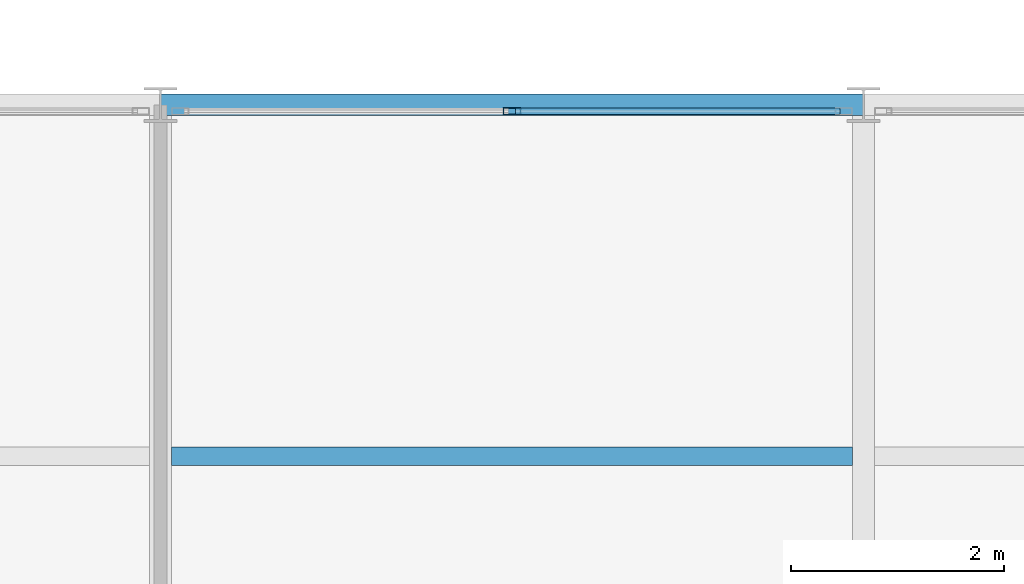
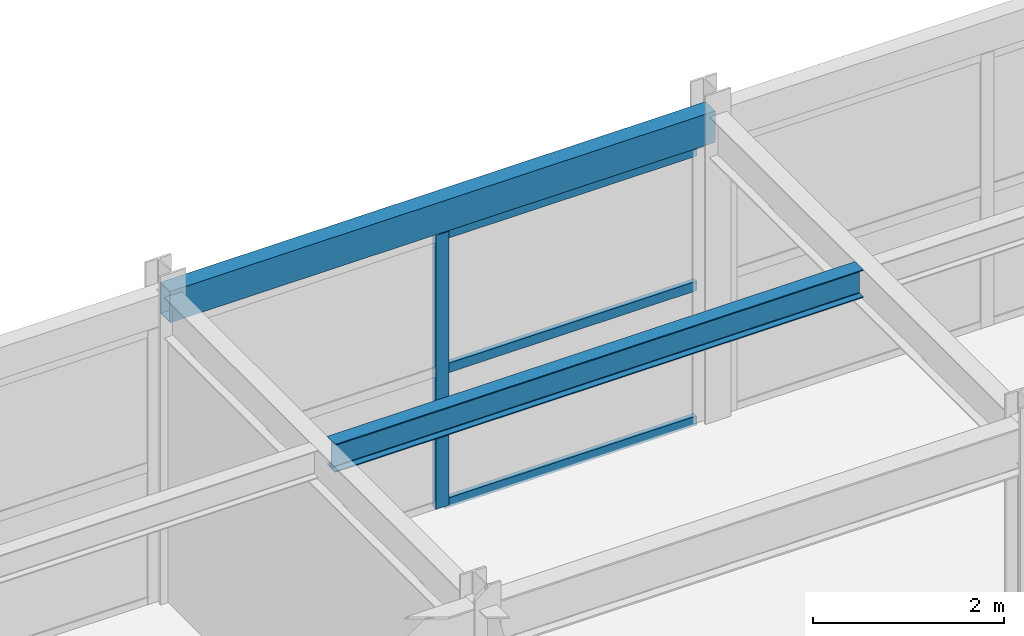
# One storey, part 57 of 134: 4 members, 2 beams, 1 element without a shape of its own.
"""IFC4 building model written with IfcOpenShell, lengths in metres."""

from ifc_helpers import new_model, si_unit, direction, frame, origin, origin_2d, place, context, subcontext, project, spatial, hollow_rectangle, i_section, extrude, material, material_profile, profile_set, type_object, element, aggregate, save


model = new_model("IFC4")

# Units and contexts
model_context = context("Model", 3, precision=1e-05, world=origin(), true_north=direction((0.0, 1.0)))
body_context = subcontext(model_context, "Body", "Model", "MODEL_VIEW")
ifc_project = project(units=[si_unit("LENGTHUNIT", "METRE"), si_unit("AREAUNIT", "SQUARE_METRE"), si_unit("VOLUMEUNIT", "CUBIC_METRE"), si_unit("PLANEANGLEUNIT", "RADIAN"), si_unit("MASSUNIT", "GRAM", prefix="KILO")], contexts=[model_context])

# Site, building, storey
site_placement = place(None, origin())
site = spatial("IfcSite", under=ifc_project, at=site_placement, CompositionType="ELEMENT")
building_placement = place(site_placement, origin())
building = spatial("IfcBuilding", under=site, at=building_placement, Name="Karori Crest Natural Sciences Institute", CompositionType="ELEMENT")
storey_placement = place(building_placement, frame((0.0, 0.0, 21.699951171875)))
storey = spatial("IfcBuildingStorey", under=building, at=storey_placement, Name="L05", CompositionType="ELEMENT", Elevation=21.699951171875)

# Beams
ifc_material_1 = material(Name="Structural steel AS/NZS 3679.1 Grade 350", Category="steel")
ifc_material_profile_1 = material_profile(ifc_material_1, i_section(OverallWidth=0.172119140625, OverallDepth=0.35888671875, WebThickness=0.008056640625, FlangeThickness=0.012939453125, FilletRadius=0.010986328125, at=origin_2d()), Name="360UB56.7")
ifc_profile_set_1 = profile_set([ifc_material_profile_1], Name="Structural steel AS/NZS 3679.1 Grade 350")
beam_type_1 = type_object("IfcBeamType", Name="BT-08", PredefinedType="BEAM", material=ifc_profile_set_1)
beam_1_placement = place(storey_placement, frame((123.50439453125, 17.300048828125, 3.740478515625), z_axis=(1.0, 0.0, 0.0), x_axis=(0.0, 1.0, 0.0)))
element("IfcBeam", 1, at=beam_1_placement, inside=storey, type_object=beam_type_1, Name="Beam B-2526", PredefinedType="BEAM", context=body_context, shape_type="SweptSolid", body=[
    extrude(i_section(OverallWidth=0.172119140625, OverallDepth=0.35888671875, WebThickness=0.008056640625, FlangeThickness=0.012939453125, FilletRadius=0.010986328125, at=origin_2d()), origin(), (0.0, 0.0, 1.0), 6.39111328125),
])
ifc_material_2 = material(Name="Hollow structural steel AS/NZS 1163 Grade C350", Category="steel")
ifc_material_profile_2 = material_profile(ifc_material_2, hollow_rectangle(XDim=0.199951171875, YDim=0.39990234375, WallThickness=0.012451171875, at=origin_2d()), Name="RHS400x200x12.5")
ifc_profile_set_2 = profile_set([ifc_material_profile_2], Name="Hollow structural steel AS/NZS 1163 Grade C350")
beam_type_2 = type_object("IfcBeamType", Name="BT-14", PredefinedType="SPANDREL", material=ifc_profile_set_2)
beam_2_placement = place(storey_placement, frame((123.39990234375, 20.60009765625, 3.719970703125), z_axis=(1.0, 0.0, 0.0), x_axis=(0.0, 1.0, 0.0)))
element("IfcBeam", 2, at=beam_2_placement, inside=storey, type_object=beam_type_2, Name="Beam B-2482", PredefinedType="SPANDREL", context=body_context, shape_type="SweptSolid", body=[
    extrude(hollow_rectangle(XDim=0.199951171875, YDim=0.39990234375, WallThickness=0.012451171875, at=origin_2d()), origin(), (0.0, 0.0, 1.0), 6.60009765625),
])

# Curtain wall, members
ifc_material_3 = material(Name="Anodised architectural aluminium 6063-T6", Category="aluminium")
curtain_wall_type = type_object("IfcCurtainWallType", Name="CWT-20", PredefinedType="NOTDEFINED", material=ifc_material_3)
curtain_wall_placement = place(storey_placement, origin())
curtain_wall = element("IfcCurtainWall", 3, at=curtain_wall_placement, inside=storey, type_object=curtain_wall_type, Name="Curtain wall CW-0343", PredefinedType="NOTDEFINED")
ifc_material_profile_3 = material_profile(ifc_material_3, hollow_rectangle(XDim=0.06494140625, YDim=0.159912109375, WallThickness=0.00390625, at=origin_2d()), Name="CWM160x65x4")
ifc_profile_set_3 = profile_set([ifc_material_profile_3], Name="Anodised architectural aluminium 6063-T6")
member_type_1 = type_object("IfcMemberType", Name="CWM-01", PredefinedType="MULLION", material=ifc_profile_set_3)
member_1_placement = place(storey_placement, frame((126.699951171875, 20.5400390625, 0.0), z_axis=(0.0, 0.0, 1.0), x_axis=(0.0, 1.0, 0.0)))
member_1 = element("IfcMember", 4, at=member_1_placement, type_object=member_type_1, Name="CW-0343 mullion 2", PredefinedType="MULLION", context=body_context, shape_type="SweptSolid", body=[
    extrude(hollow_rectangle(XDim=0.06494140625, YDim=0.159912109375, WallThickness=0.00390625, at=origin_2d()), origin(), (0.0, 0.0, 1.0), 3.505126953125),
])
ifc_material_profile_4 = material_profile(ifc_material_3, hollow_rectangle(XDim=0.06005859375, YDim=0.1201171875, WallThickness=0.00390625, at=origin_2d()), Name="CWT120x60x4")
ifc_profile_set_4 = profile_set([ifc_material_profile_4], Name="Anodised architectural aluminium 6063-T6")
member_type_2 = type_object("IfcMemberType", Name="CWT-TR1", PredefinedType="USERDEFINED", material=ifc_profile_set_4)
member_2_placement = place(storey_placement, frame((126.732421875, 20.5400390625, 0.030029296875), z_axis=(1.0, 0.0, 0.0), x_axis=(0.0, 1.0, 0.0)))
member_2 = element("IfcMember", 5, at=member_2_placement, type_object=member_type_2, Name="CW-0343 transom 2.1", ObjectType="TRANSOM", PredefinedType="USERDEFINED", context=body_context, shape_type="SweptSolid", body=[
    extrude(hollow_rectangle(XDim=0.06005859375, YDim=0.1201171875, WallThickness=0.00390625, at=origin_2d()), origin(), (0.0, 0.0, 1.0), 3.049072265625),
])
member_3_placement = place(storey_placement, frame((126.732421875, 20.5400390625, 1.75244140625), z_axis=(1.0, 0.0, 0.0), x_axis=(0.0, 1.0, 0.0)))
member_3 = element("IfcMember", 6, at=member_3_placement, type_object=member_type_2, Name="CW-0343 transom 2.2", ObjectType="TRANSOM", PredefinedType="USERDEFINED", context=body_context, shape_type="SweptSolid", body=[
    extrude(hollow_rectangle(XDim=0.06005859375, YDim=0.1201171875, WallThickness=0.00390625, at=origin_2d()), origin(), (0.0, 0.0, 1.0), 3.049072265625),
])
member_4_placement = place(storey_placement, frame((126.732421875, 20.5400390625, 3.47509765625), z_axis=(1.0, 0.0, 0.0), x_axis=(0.0, 1.0, 0.0)))
member_4 = element("IfcMember", 7, at=member_4_placement, type_object=member_type_2, Name="CW-0343 transom 2.3", ObjectType="TRANSOM", PredefinedType="USERDEFINED", context=body_context, shape_type="SweptSolid", body=[
    extrude(hollow_rectangle(XDim=0.06005859375, YDim=0.1201171875, WallThickness=0.00390625, at=origin_2d()), origin(), (0.0, 0.0, 1.0), 3.049072265625),
])
aggregate(curtain_wall, [member_1, member_2, member_3, member_4])

save(model, "model.ifc")
